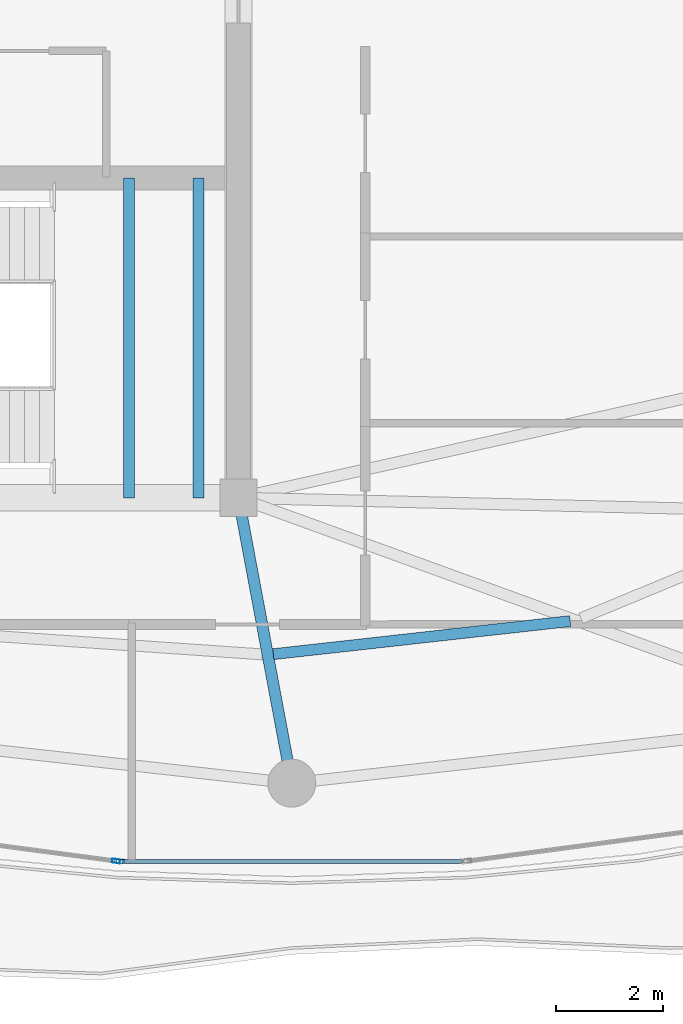
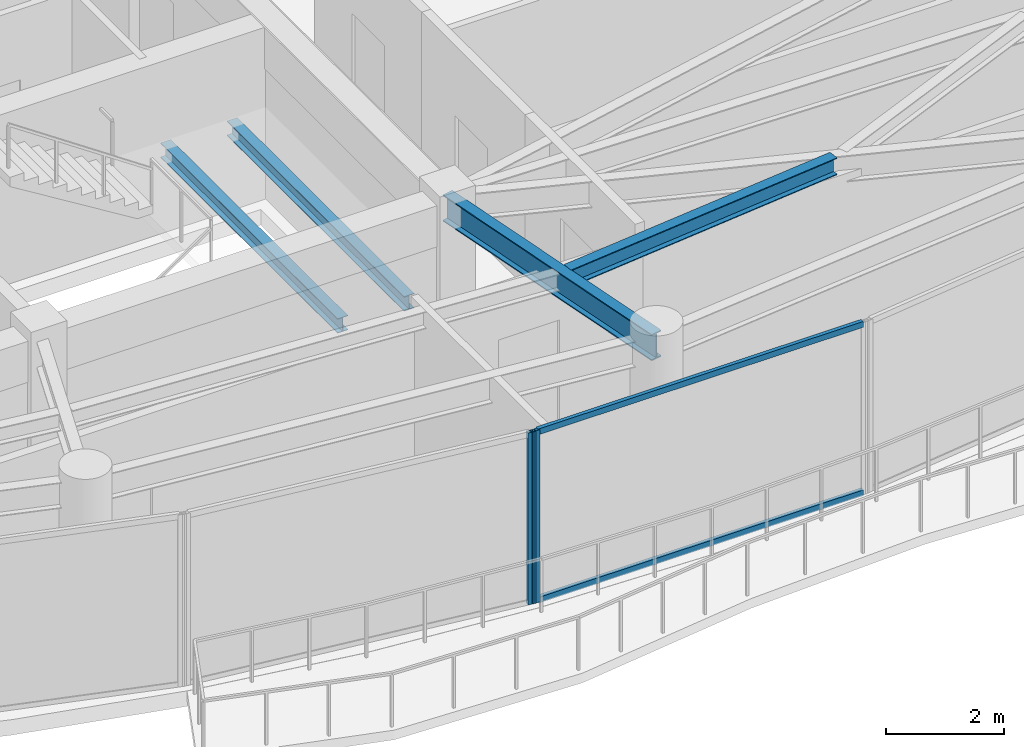
# One storey, part 7 of 29: 4 beams, 4 members, 2 elements without a shape of their own.
"""IFC4 building model written with IfcOpenShell, lengths in metres."""

from ifc_helpers import new_model, si_unit, direction, frame, origin, origin_2d, place, context, subcontext, project, spatial, hollow_rectangle, i_section, extrude, material, layer, layer_set, material_profile, profile_set, type_object, element, aggregate, save


model = new_model("IFC4")

# Units and contexts
model_context = context("Model", 3, precision=1e-05, world=origin(), true_north=direction((0.0, 1.0)))
body_context = subcontext(model_context, "Body", "Model", "MODEL_VIEW")
ifc_project = project(units=[si_unit("LENGTHUNIT", "METRE"), si_unit("AREAUNIT", "SQUARE_METRE"), si_unit("VOLUMEUNIT", "CUBIC_METRE"), si_unit("PLANEANGLEUNIT", "RADIAN"), si_unit("MASSUNIT", "GRAM", prefix="KILO")], contexts=[model_context])

# Site, building, storey
site_placement = place(None, origin())
site = spatial("IfcSite", under=ifc_project, at=site_placement, CompositionType="ELEMENT")
building_placement = place(site_placement, origin())
building = spatial("IfcBuilding", under=site, at=building_placement, Name="Kazevale Care Tower and Concert Hall", CompositionType="ELEMENT")
storey_placement = place(building_placement, frame((0.0, 0.0, 281.39990234375)))
storey = spatial("IfcBuildingStorey", under=building, at=storey_placement, Name="L74", CompositionType="ELEMENT", Elevation=281.39990234375)

# Curtain wall, member
ifc_material_1 = material(Name="Aluminium 6063-T6 and Low-E Glass", Category="aluminium")
ifc_layer = layer(ifc_material_1, 0.179931640625)
ifc_layer_set = layer_set([ifc_layer], Name="Aluminium 6063-T6 and Low-E Glass")
curtain_wall_type = type_object("IfcCurtainWallType", Name="Sheltered Concave Balcony Curtain Wall CW-5", PredefinedType="NOTDEFINED", material=ifc_layer_set)
curtain_wall_1_placement = place(storey_placement, origin())
curtain_wall_1 = element("IfcCurtainWall", 1, at=curtain_wall_1_placement, inside=storey, type_object=curtain_wall_type, Name="cw:L74:f06", PredefinedType="NOTDEFINED")
ifc_material_2 = material(Name="Aluminium 6063-T6", Category="aluminium")
ifc_material_profile_1 = material_profile(ifc_material_2, hollow_rectangle(XDim=0.074951171875, YDim=0.14990234375, WallThickness=0.00390625, at=origin_2d()), Name="ALU75x150x4")
ifc_profile_set_1 = profile_set([ifc_material_profile_1], Name="Aluminium 6063-T6")
member_type_1 = type_object("IfcMemberType", Name="CW-5 Mullion ALU75x150x4", PredefinedType="MULLION", material=ifc_profile_set_1)
member_1_placement = place(storey_placement, frame((41.779541015625, 16.784912109375, 0.0), z_axis=(0.0, 0.0, 1.0), x_axis=(0.0, -1.0, 0.0)))
member_1 = element("IfcMember", 2, at=member_1_placement, type_object=member_type_1, Name="CW-5 mullion 2", PredefinedType="MULLION", context=body_context, shape_type="SweptSolid", body=[
    extrude(hollow_rectangle(XDim=0.074951171875, YDim=0.14990234375, WallThickness=0.00390625, at=origin_2d()), origin(), (0.0, 0.0, 1.0), 3.56005859375),
])

curtain_wall_2_placement = place(storey_placement, origin())
curtain_wall_2 = element("IfcCurtainWall", 3, at=curtain_wall_2_placement, inside=storey, type_object=curtain_wall_type, Name="cw:L74:f07", PredefinedType="NOTDEFINED")
member_2_placement = place(storey_placement, frame((41.704833984375, 16.7900390625, 0.0), z_axis=(0.0, 0.0, 1.0), x_axis=(-0.132542069018, -0.991177380664, 0.0)))
member_2 = element("IfcMember", 4, at=member_2_placement, type_object=member_type_1, Name="CW-5 mullion 1", PredefinedType="MULLION", context=body_context, shape_type="SweptSolid", body=[
    extrude(hollow_rectangle(XDim=0.074951171875, YDim=0.14990234375, WallThickness=0.00390625, at=origin_2d()), origin(), (0.0, 0.0, 1.0), 3.56005859375),
])
aggregate(curtain_wall_2, [member_2])

# Member
ifc_material_profile_2 = material_profile(ifc_material_2, hollow_rectangle(XDim=0.074951171875, YDim=0.1201171875, WallThickness=0.00390625, at=origin_2d()), Name="ALU75x120x4")
ifc_profile_set_2 = profile_set([ifc_material_profile_2], Name="Aluminium 6063-T6")
member_type_2 = type_object("IfcMemberType", Name="CW-5 Transom ALU75x120x4", PredefinedType="USERDEFINED", material=ifc_profile_set_2)
member_3_placement = place(storey_placement, frame((48.18310546875, 16.784912109375, 0.03759765625), z_axis=(-1.0, 0.0, 0.0), x_axis=(0.0, -1.0, 0.0)))
member_3 = element("IfcMember", 5, at=member_3_placement, type_object=member_type_2, Name="CW-5 transom 1.1", ObjectType="TRANSOM", PredefinedType="USERDEFINED", context=body_context, shape_type="SweptSolid", body=[
    extrude(hollow_rectangle(XDim=0.074951171875, YDim=0.1201171875, WallThickness=0.00390625, at=origin_2d()), origin(), (0.0, 0.0, 1.0), 6.3662109375),
])

member_4_placement = place(storey_placement, frame((48.18310546875, 16.784912109375, 3.522705078125), z_axis=(-1.0, 0.0, 0.0), x_axis=(0.0, -1.0, 0.0)))
member_4 = element("IfcMember", 6, at=member_4_placement, type_object=member_type_2, Name="CW-5 transom 1.2", ObjectType="TRANSOM", PredefinedType="USERDEFINED", context=body_context, shape_type="SweptSolid", body=[
    extrude(hollow_rectangle(XDim=0.074951171875, YDim=0.1201171875, WallThickness=0.00390625, at=origin_2d()), origin(), (0.0, 0.0, 1.0), 6.3662109375),
])

aggregate(curtain_wall_1, [member_1, member_3, member_4])

# Beams
ifc_material_3 = material(Name="Steel ASTM A572 Gr 50", Category="steel")
ifc_material_profile_3 = material_profile(ifc_material_3, i_section(OverallWidth=0.2119140625, OverallDepth=0.5439453125, WebThickness=0.01318359375, FlangeThickness=0.021240234375, at=origin_2d()), Name="W530x123")
ifc_profile_set_3 = profile_set([ifc_material_profile_3], Name="Steel ASTM A572 Gr 50")
beam_type_1 = type_object("IfcBeamType", Name="Radial Floor Girder W530x123", PredefinedType="BEAM", material=ifc_profile_set_3)
beam_1_placement = place(storey_placement, frame((44.0, 23.60009765625, 3.2880859375), z_axis=(0.183730597003, -0.982976636408, 0.0), x_axis=(0.982976636408, 0.183730597003, 0.0)))
element("IfcBeam", 7, at=beam_1_placement, inside=storey, type_object=beam_type_1, Name="beam:L74:rad:13", PredefinedType="BEAM", context=body_context, shape_type="SweptSolid", body=[
    extrude(i_section(OverallWidth=0.2119140625, OverallDepth=0.5439453125, WebThickness=0.01318359375, FlangeThickness=0.021240234375, at=origin_2d()), origin(), (0.0, 0.0, 1.0), 5.44287109375),
])
ifc_material_profile_4 = material_profile(ifc_material_3, i_section(OverallWidth=0.205078125, OverallDepth=0.35400390625, WebThickness=0.009521484375, FlangeThickness=0.016845703125, at=origin_2d()), Name="W360x79")
ifc_profile_set_4 = profile_set([ifc_material_profile_4], Name="Steel ASTM A572 Gr 50")
beam_type_2 = type_object("IfcBeamType", Name="Secondary Floor Joist W360x79", PredefinedType="JOIST", material=ifc_profile_set_4)
beam_2_placement = place(storey_placement, frame((44.654052734375, 20.6689453125, 3.383056640625), z_axis=(0.99385286667, 0.110708985236, 0.0), x_axis=(-0.110708985236, 0.99385286667, 0.0)))
element("IfcBeam", 8, at=beam_2_placement, inside=storey, type_object=beam_type_2, Name="beam:L74:joist:13", PredefinedType="JOIST", context=body_context, shape_type="SweptSolid", body=[
    extrude(i_section(OverallWidth=0.205078125, OverallDepth=0.35400390625, WebThickness=0.009521484375, FlangeThickness=0.016845703125, at=origin_2d()), origin(), (0.0, 0.0, 1.0), 5.601318359375),
])
ifc_material_profile_5 = material_profile(ifc_material_3, i_section(OverallWidth=0.202880859375, OverallDepth=0.302978515625, WebThickness=0.007568359375, FlangeThickness=0.01318359375, at=origin_2d()), Name="W310x60")
ifc_profile_set_5 = profile_set([ifc_material_profile_5], Name="Steel ASTM A572 Gr 50")
beam_type_3 = type_object("IfcBeamType", Name="Stair & Balcony Trimmer W310x60", PredefinedType="BEAM", material=ifc_profile_set_5)
for number, where, z_axis, x_axis, name in (
    (9, (41.949951171875, 23.60009765625, 1.548583984375), (0.0, 1.0, 0.0), (-1.0, 0.0, 0.0), "beam:L74:sttrim:ST2"),
    (10, (43.25, 23.60009765625, 1.548583984375), (0.0, 1.0, 0.0), (-1.0, 0.0, 0.0), "beam:L74:sttrim:ST2b"),
):
    element("IfcBeam", number, at=place(storey_placement, frame(where, z_axis=z_axis, x_axis=x_axis)), inside=storey, type_object=beam_type_3, Name=name, PredefinedType="BEAM", context=body_context, shape_type="SweptSolid", body=[
        extrude(i_section(OverallWidth=0.202880859375, OverallDepth=0.302978515625, WebThickness=0.007568359375, FlangeThickness=0.01318359375, at=origin_2d()), origin(), (0.0, 0.0, 1.0), 6.0),
    ])

save(model, "model.ifc")
